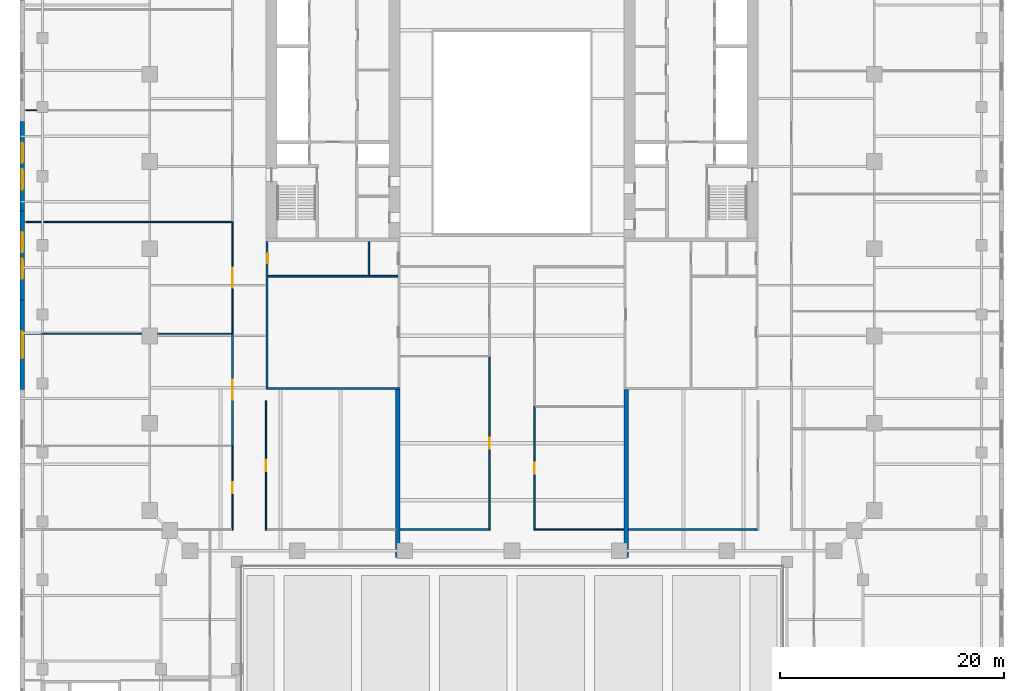
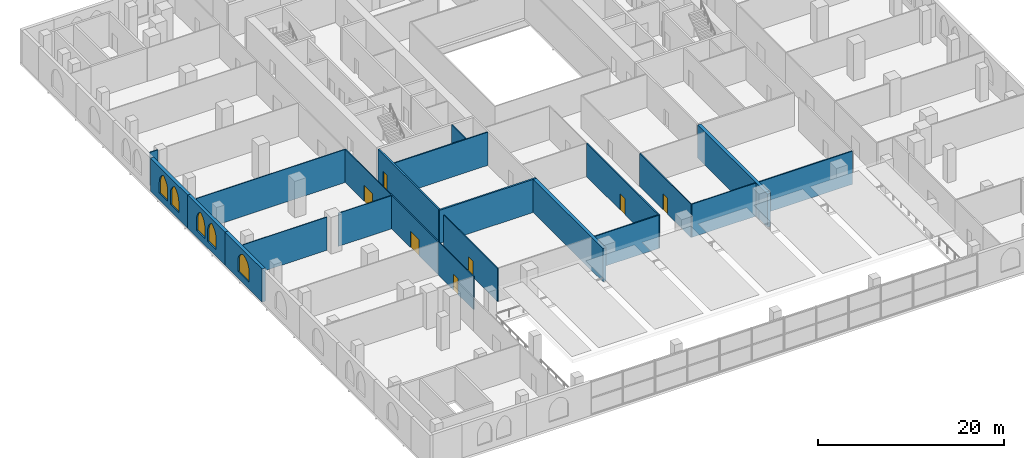
# One storey, part 9 of 18: 22 walls, 7 doors, 5 windows, 12 openings.
"""IFC4 building model written with IfcOpenShell, lengths in metres."""

from ifc_helpers import new_model, si_unit, direction, frame, frame_2d, origin, place, context, subcontext, project, spatial, polyline, rectangle, outline, extrude, material, layer, layer_set, type_object, element, fill, save


model = new_model("IFC4")

# Units and contexts
model_context = context("Model", 3, precision=1e-05, world=origin(), true_north=direction((0.0, 1.0)))
body_context = subcontext(model_context, "Body", "Model", "MODEL_VIEW")
ifc_project = project(units=[si_unit("LENGTHUNIT", "METRE"), si_unit("AREAUNIT", "SQUARE_METRE"), si_unit("VOLUMEUNIT", "CUBIC_METRE"), si_unit("PLANEANGLEUNIT", "RADIAN"), si_unit("MASSUNIT", "GRAM", prefix="KILO")], contexts=[model_context])

# Site, building, storey
site_placement = place(None, origin())
site = spatial("IfcSite", under=ifc_project, at=site_placement, CompositionType="ELEMENT")
building_placement = place(site_placement, origin())
building = spatial("IfcBuilding", under=site, at=building_placement, Name="Ogive Exchange Tower", CompositionType="ELEMENT")
storey_placement = place(building_placement, frame((0.0, 0.0, 28.800048828125)))
storey = spatial("IfcBuildingStorey", under=building, at=storey_placement, Name="L05", CompositionType="ELEMENT", Elevation=28.800048828125)

# Walls
ifc_material_1 = material(Name="Concrete C70/85", Category="concrete")
ifc_layer_1 = layer(ifc_material_1, 0.39990234375)
ifc_layer_set_1 = layer_set([ifc_layer_1], Name="Concrete C70/85 spine wall 400")
wall_type_1 = type_object("IfcWallType", Name="Concrete C70/85 spine wall 400", PredefinedType="SHEAR", material=ifc_layer_set_1)
for number, where, z_axis, x_axis, name in (
    (1, (-10.199951171875, -31.0, 0.0), (0.0, 0.0, 1.0), (0.0, 1.0, 0.0), "Spine wall SW"),
    (2, (10.199951171875, -31.0, 0.0), (0.0, 0.0, 1.0), (0.0, 1.0, 0.0), "Spine wall SE"),
):
    element("IfcWall", number, at=place(storey_placement, frame(where, z_axis=z_axis, x_axis=x_axis)), inside=storey, type_object=wall_type_1, Name=name, PredefinedType="SHEAR", context=body_context, shape_type="SweptSolid", body=[
        extrude(rectangle(XDim=15.0, YDim=0.39990234375, at=frame_2d((7.5, 0.0))), origin(), (0.0, 0.0, 1.0), 4.349853515625),
    ])
ifc_material_2 = material(Name="Gypsum board partition")
ifc_layer_2 = layer(ifc_material_2, 0.14990234375)
ifc_layer_set_2 = layer_set([ifc_layer_2], Name="Core room partition 150 gypsum")
wall_type_2 = type_object("IfcWallType", Name="Core room partition 150 gypsum", PredefinedType="PARTITIONING", material=ifc_layer_set_2)
wall_1_placement = place(storey_placement, frame((-21.800048828125, -5.85009765625, 0.0), z_axis=(0.0, 0.0, 1.0), x_axis=(1.0, 0.0, 0.0)))
element("IfcWall", 3, at=wall_1_placement, inside=storey, type_object=wall_type_2, Name="W annex S wc strip wall 00", PredefinedType="PARTITIONING", context=body_context, shape_type="SweptSolid", body=[
    extrude(rectangle(XDim=11.60009765625, YDim=0.14990234375, at=frame_2d((5.800048828125, 0.0))), origin(), (0.0, 0.0, 1.0), 4.349853515625),
])
wall_2_placement = place(storey_placement, frame((-12.800048828125, -5.77490234375, 0.0), z_axis=(0.0, 0.0, 1.0), x_axis=(0.0, 1.0, 0.0)))
element("IfcWall", 4, at=wall_2_placement, inside=storey, type_object=wall_type_2, Name="W annex S wc partition 00", PredefinedType="PARTITIONING", context=body_context, shape_type="SweptSolid", body=[
    extrude(rectangle(XDim=3.02490234375, YDim=0.14990234375, at=frame_2d((1.512451171875, 0.0))), origin(), (0.0, 0.0, 1.0), 4.349853515625),
])
ifc_material_3 = material(Name="Fire partition EI 60 150")
ifc_layer_3 = layer(ifc_material_3, 0.14990234375)
ifc_layer_set_3 = layer_set([ifc_layer_3], Name="Fire partition EI 60 150")
wall_type_3 = type_object("IfcWallType", Name="Fire partition EI 60 150", PredefinedType="PARTITIONING", material=ifc_layer_set_3)
wall_3_placement = place(storey_placement, frame((-10.0, -28.5, 0.0), z_axis=(0.0, 0.0, 1.0), x_axis=(1.0, 0.0, 0.0)))
element("IfcWall", 5, at=wall_3_placement, inside=storey, type_object=wall_type_3, Name="L05-PWL-009", PredefinedType="PARTITIONING", context=body_context, shape_type="SweptSolid", body=[
    extrude(rectangle(XDim=7.925048828125, YDim=0.14990234375, at=frame_2d((3.96240234375, 0.0))), origin(), (0.0, 0.0, 1.0), 4.349853515625),
])
wall_4_placement = place(storey_placement, frame((10.39990234375, -28.5, 0.0), z_axis=(0.0, 0.0, 1.0), x_axis=(1.0, 0.0, 0.0)))
element("IfcWall", 6, at=wall_4_placement, inside=storey, type_object=wall_type_3, Name="L05-PWL-011", PredefinedType="PARTITIONING", context=body_context, shape_type="SweptSolid", body=[
    extrude(rectangle(XDim=11.525146484375, YDim=0.14990234375, at=frame_2d((5.7626953125, 0.0))), origin(), (0.0, 0.0, 1.0), 4.349853515625),
])

# Wall, opening, door
wall_5_placement = place(storey_placement, frame((-25.0, -21.0, 0.0), z_axis=(0.0, 0.0, 1.0), x_axis=(0.0, 1.0, 0.0)))
wall_5 = element("IfcWall", 7, at=wall_5_placement, inside=storey, type_object=wall_type_3, Name="L05-PWL-046", PredefinedType="PARTITIONING", context=body_context, shape_type="SweptSolid", body=[
    extrude(rectangle(XDim=10.0, YDim=0.14990234375, at=frame_2d((5.0, 0.0))), origin(), (0.0, 0.0, 1.0), 4.349853515625),
])
opening_1_placement = place(wall_5_placement, frame((4.10009765625, 0.0, 0.0)))
opening_1 = element("IfcOpeningElement", 8, at=opening_1_placement, cuts=wall_5, Name="Opening L05-I04", PredefinedType="OPENING", context=body_context, shape_type="SweptSolid", body=[
    extrude(rectangle(XDim=1.800048828125, YDim=2.10009765625, at=frame_2d((0.89990234375, 1.050048828125))), frame((0.0, 0.0849609375, 0.0), z_axis=(0.0, -1.0, 0.0), x_axis=(1.0, 0.0, 0.0)), (0.0, 0.0, 1.0), 0.169921875),
])
ifc_material_4 = material(Name="Fire door FD 30S 1800 x 2100")
door_type_1 = type_object("IfcDoorType", Name="Fire door FD 30S 1800 x 2100", OperationType="DOUBLE_DOOR_SINGLE_SWING", PredefinedType="DOOR", material=ifc_material_4)
door_1_placement = place(opening_1_placement, origin())
door_1 = element("IfcDoor", 9, at=door_1_placement, inside=storey, type_object=door_type_1, Name="L05-IDR-004", ObjectType="DT4", OperationType="SINGLE_SWING_RIGHT", OverallHeight=2.10009765625, OverallWidth=1.800048828125, PredefinedType="DOOR", context=body_context, shape_type="SweptSolid", body=[
    extrude(rectangle(XDim=1.800048828125, YDim=2.10009765625, at=frame_2d((0.89990234375, 1.050048828125))), frame((0.0, 0.02490234375, 0.0), z_axis=(0.0, -1.0, 0.0), x_axis=(1.0, 0.0, 0.0)), (0.0, 0.0, 1.0), 0.050048828125),
])
fill(opening_1, door_1)

wall_6_placement = place(storey_placement, frame((-2.0, -28.574951171875, 0.0), z_axis=(0.0, 0.0, 1.0), x_axis=(0.0, 1.0, 0.0)))
wall_6 = element("IfcWall", 10, at=wall_6_placement, inside=storey, type_object=wall_type_3, Name="L05-PWL-053", PredefinedType="PARTITIONING", context=body_context, shape_type="SweptSolid", body=[
    extrude(rectangle(XDim=15.574951171875, YDim=0.14990234375, at=frame_2d((7.78759765625, 0.0))), origin(), (0.0, 0.0, 1.0), 4.349853515625),
])
opening_2_placement = place(wall_6_placement, frame((7.28759765625, 0.0, 0.0)))
opening_2 = element("IfcOpeningElement", 11, at=opening_2_placement, cuts=wall_6, Name="Opening L05-I20", PredefinedType="OPENING", context=body_context, shape_type="SweptSolid", body=[
    extrude(rectangle(XDim=1.0, YDim=2.10009765625, at=frame_2d((0.5, 1.050048828125))), frame((0.0, 0.0849609375, 0.0), z_axis=(0.0, -1.0, 0.0), x_axis=(1.0, 0.0, 0.0)), (0.0, 0.0, 1.0), 0.169921875),
])
ifc_material_5 = material(Name="Fire door FD 30S 1000 x 2100")
door_type_2 = type_object("IfcDoorType", Name="Fire door FD 30S 1000 x 2100", OperationType="NOTDEFINED", PredefinedType="DOOR", material=ifc_material_5)
door_2_placement = place(opening_2_placement, frame((1.0, 0.0, 0.0), z_axis=(0.0, 0.0, 1.0), x_axis=(-1.0, 0.0, 0.0)))
door_2 = element("IfcDoor", 12, at=door_2_placement, inside=storey, type_object=door_type_2, Name="L05-IDR-020", ObjectType="DT3", OperationType="SINGLE_SWING_RIGHT", OverallHeight=2.10009765625, OverallWidth=1.0, PredefinedType="DOOR", context=body_context, shape_type="SweptSolid", body=[
    extrude(rectangle(XDim=1.0, YDim=2.10009765625, at=frame_2d((0.5, 1.050048828125))), frame((0.0, 0.02490234375, 0.0), z_axis=(0.0, -1.0, 0.0), x_axis=(1.0, 0.0, 0.0)), (0.0, 0.0, 1.0), 0.050048828125),
])
fill(opening_2, door_2)

# Wall
ifc_material_6 = material(Name="Glazed fire partition EI 60 120")
ifc_layer_4 = layer(ifc_material_6, 0.1201171875)
ifc_layer_set_4 = layer_set([ifc_layer_4], Name="Glazed fire partition EI 60 120")
wall_type_4 = type_object("IfcWallType", Name="Glazed fire partition EI 60 120", PredefinedType="PARTITIONING", material=ifc_layer_set_4)
wall_7_placement = place(storey_placement, frame((2.06005859375, -28.5, 0.0), z_axis=(0.0, 0.0, 1.0), x_axis=(1.0, 0.0, 0.0)))
element("IfcWall", 13, at=wall_7_placement, inside=storey, type_object=wall_type_4, Name="L05-PWL-010", PredefinedType="PARTITIONING", context=body_context, shape_type="SweptSolid", body=[
    extrude(rectangle(XDim=7.93994140625, YDim=0.1201171875, at=frame_2d((3.969970703125, 0.0))), origin(), (0.0, 0.0, 1.0), 4.349853515625),
])

# Wall, opening, door
wall_8_placement = place(storey_placement, frame((-25.0, -28.56005859375, 0.0), z_axis=(0.0, 0.0, 1.0), x_axis=(0.0, 1.0, 0.0)))
wall_8 = element("IfcWall", 14, at=wall_8_placement, inside=storey, type_object=wall_type_4, Name="L05-PWL-045", PredefinedType="PARTITIONING", context=body_context, shape_type="SweptSolid", body=[
    extrude(rectangle(XDim=7.56005859375, YDim=0.1201171875, at=frame_2d((3.780029296875, 0.0))), origin(), (0.0, 0.0, 1.0), 4.349853515625),
])
opening_3_placement = place(wall_8_placement, frame((3.280029296875, 0.0, 0.0)))
opening_3 = element("IfcOpeningElement", 15, at=opening_3_placement, cuts=wall_8, Name="Opening L05-I03", PredefinedType="OPENING", context=body_context, shape_type="SweptSolid", body=[
    extrude(rectangle(XDim=1.0, YDim=2.10009765625, at=frame_2d((0.5, 1.050048828125))), frame((0.0, 0.070068359375, 0.0), z_axis=(0.0, -1.0, 0.0), x_axis=(1.0, 0.0, 0.0)), (0.0, 0.0, 1.0), 0.14013671875),
])
door_3_placement = place(opening_3_placement, origin())
door_3 = element("IfcDoor", 16, at=door_3_placement, inside=storey, type_object=door_type_2, Name="L05-IDR-003", ObjectType="DT3", OperationType="SINGLE_SWING_LEFT", OverallHeight=2.10009765625, OverallWidth=1.0, PredefinedType="DOOR", context=body_context, shape_type="SweptSolid", body=[
    extrude(rectangle(XDim=1.0, YDim=2.10009765625, at=frame_2d((0.5, 1.050048828125))), frame((0.0, 0.02490234375, 0.0), z_axis=(0.0, -1.0, 0.0), x_axis=(1.0, 0.0, 0.0)), (0.0, 0.0, 1.0), 0.050048828125),
])
fill(opening_3, door_3)

wall_9_placement = place(storey_placement, frame((-25.0, -11.0, 0.0), z_axis=(0.0, 0.0, 1.0), x_axis=(0.0, 1.0, 0.0)))
wall_9 = element("IfcWall", 17, at=wall_9_placement, inside=storey, type_object=wall_type_4, Name="L05-PWL-047", PredefinedType="PARTITIONING", context=body_context, shape_type="SweptSolid", body=[
    extrude(rectangle(XDim=10.0, YDim=0.1201171875, at=frame_2d((5.0, 0.0))), origin(), (0.0, 0.0, 1.0), 4.349853515625),
])
opening_4_placement = place(wall_9_placement, frame((4.10009765625, 0.0, 0.0)))
opening_4 = element("IfcOpeningElement", 18, at=opening_4_placement, cuts=wall_9, Name="Opening L05-I05", PredefinedType="OPENING", context=body_context, shape_type="SweptSolid", body=[
    extrude(rectangle(XDim=1.800048828125, YDim=2.10009765625, at=frame_2d((0.89990234375, 1.050048828125))), frame((0.0, 0.070068359375, 0.0), z_axis=(0.0, -1.0, 0.0), x_axis=(1.0, 0.0, 0.0)), (0.0, 0.0, 1.0), 0.14013671875),
])
door_4_placement = place(opening_4_placement, origin())
door_4 = element("IfcDoor", 19, at=door_4_placement, inside=storey, type_object=door_type_1, Name="L05-IDR-005", ObjectType="DT4", OperationType="SINGLE_SWING_RIGHT", OverallHeight=2.10009765625, OverallWidth=1.800048828125, PredefinedType="DOOR", context=body_context, shape_type="SweptSolid", body=[
    extrude(rectangle(XDim=1.800048828125, YDim=2.10009765625, at=frame_2d((0.89990234375, 1.050048828125))), frame((0.0, 0.02490234375, 0.0), z_axis=(0.0, -1.0, 0.0), x_axis=(1.0, 0.0, 0.0)), (0.0, 0.0, 1.0), 0.050048828125),
])
fill(opening_4, door_4)

wall_10_placement = place(storey_placement, frame((-22.0, -28.56005859375, 0.0), z_axis=(0.0, 0.0, 1.0), x_axis=(0.0, 1.0, 0.0)))
wall_10 = element("IfcWall", 20, at=wall_10_placement, inside=storey, type_object=wall_type_4, Name="L05-PWL-052", PredefinedType="PARTITIONING", context=body_context, shape_type="SweptSolid", body=[
    extrude(rectangle(XDim=11.56005859375, YDim=0.1201171875, at=frame_2d((5.780029296875, 0.0))), origin(), (0.0, 0.0, 1.0), 4.349853515625),
])
opening_5_placement = place(wall_10_placement, frame((5.280029296875, 0.0, 0.0)))
opening_5 = element("IfcOpeningElement", 21, at=opening_5_placement, cuts=wall_10, Name="Opening L05-I18", PredefinedType="OPENING", context=body_context, shape_type="SweptSolid", body=[
    extrude(rectangle(XDim=1.0, YDim=2.10009765625, at=frame_2d((0.5, 1.050048828125))), frame((0.0, 0.070068359375, 0.0), z_axis=(0.0, -1.0, 0.0), x_axis=(1.0, 0.0, 0.0)), (0.0, 0.0, 1.0), 0.14013671875),
])
door_5_placement = place(opening_5_placement, frame((1.0, 0.0, 0.0), z_axis=(0.0, 0.0, 1.0), x_axis=(-1.0, 0.0, 0.0)))
door_5 = element("IfcDoor", 22, at=door_5_placement, inside=storey, type_object=door_type_2, Name="L05-IDR-018", ObjectType="DT3", OperationType="SINGLE_SWING_LEFT", OverallHeight=2.10009765625, OverallWidth=1.0, PredefinedType="DOOR", context=body_context, shape_type="SweptSolid", body=[
    extrude(rectangle(XDim=1.0, YDim=2.10009765625, at=frame_2d((0.5, 1.050048828125))), frame((0.0, 0.02490234375, 0.0), z_axis=(0.0, -1.0, 0.0), x_axis=(1.0, 0.0, 0.0)), (0.0, 0.0, 1.0), 0.050048828125),
])
fill(opening_5, door_5)

wall_11_placement = place(storey_placement, frame((2.0, -28.56005859375, 0.0), z_axis=(0.0, 0.0, 1.0), x_axis=(0.0, 1.0, 0.0)))
wall_11 = element("IfcWall", 23, at=wall_11_placement, inside=storey, type_object=wall_type_4, Name="L05-PWL-056", PredefinedType="PARTITIONING", context=body_context, shape_type="SweptSolid", body=[
    extrude(rectangle(XDim=11.06005859375, YDim=0.1201171875, at=frame_2d((5.530029296875, 0.0))), origin(), (0.0, 0.0, 1.0), 4.349853515625),
])
opening_6_placement = place(wall_11_placement, frame((5.030029296875, 0.0, 0.0)))
opening_6 = element("IfcOpeningElement", 24, at=opening_6_placement, cuts=wall_11, Name="Opening L05-I22", PredefinedType="OPENING", context=body_context, shape_type="SweptSolid", body=[
    extrude(rectangle(XDim=1.0, YDim=2.10009765625, at=frame_2d((0.5, 1.050048828125))), frame((0.0, 0.070068359375, 0.0), z_axis=(0.0, -1.0, 0.0), x_axis=(1.0, 0.0, 0.0)), (0.0, 0.0, 1.0), 0.14013671875),
])
door_6_placement = place(opening_6_placement, frame((1.0, 0.0, 0.0), z_axis=(0.0, 0.0, 1.0), x_axis=(-1.0, 0.0, 0.0)))
door_6 = element("IfcDoor", 25, at=door_6_placement, inside=storey, type_object=door_type_2, Name="L05-IDR-022", ObjectType="DT3", OperationType="SINGLE_SWING_RIGHT", OverallHeight=2.10009765625, OverallWidth=1.0, PredefinedType="DOOR", context=body_context, shape_type="SweptSolid", body=[
    extrude(rectangle(XDim=1.0, YDim=2.10009765625, at=frame_2d((0.5, 1.050048828125))), frame((0.0, 0.02490234375, 0.0), z_axis=(0.0, -1.0, 0.0), x_axis=(1.0, 0.0, 0.0)), (0.0, 0.0, 1.0), 0.050048828125),
])
fill(opening_6, door_6)

# Wall, openings, windows
ifc_material_7 = material(Name="Precast concrete C40/50", Category="concrete")
ifc_layer_5 = layer(ifc_material_7, 0.39990234375)
ifc_layer_set_5 = layer_set([ifc_layer_5], Name="Limestone-faced wall 400")
wall_type_5 = type_object("IfcWallType", Name="Limestone-faced wall 400", PredefinedType="STANDARD", material=ifc_layer_set_5)
wall_12_placement = place(storey_placement, frame((-43.800048828125, 8.0, 0.0), z_axis=(0.0, 0.0, 1.0), x_axis=(0.0, -1.0, 0.0)))
wall_12 = element("IfcWall", 26, at=wall_12_placement, inside=storey, type_object=wall_type_5, Name="Podium wall W5", PredefinedType="STANDARD", context=body_context, shape_type="SweptSolid", body=[
    extrude(rectangle(XDim=8.0, YDim=0.39990234375, at=frame_2d((4.0, 0.0))), origin(), (0.0, 0.0, 1.0), 4.349853515625),
])
opening_7_placement = place(wall_12_placement, frame((1.89990234375, 0.0, 0.89990234375)))
opening_7 = element("IfcOpeningElement", 27, at=opening_7_placement, cuts=wall_12, Name="Opening WQ285", PredefinedType="OPENING", context=body_context, shape_type="SweptSolid", body=[
    extrude(outline(polyline([(0.0, 0.0), (1.800048828125, 0.0), (1.800048828125, 1.425048828125), (1.784423828125, 1.646484375), (1.73779296875, 1.86376953125), (1.661376953125, 2.072265625), (1.55615234375, 2.267822265625), (1.4248046875, 2.44677734375), (1.269287109375, 2.60546875), (1.09326171875, 2.74072265625), (0.89990234375, 2.85009765625), (0.706787109375, 2.74072265625), (0.53076171875, 2.60546875), (0.375244140625, 2.44677734375), (0.243896484375, 2.267822265625), (0.138671875, 2.072265625), (0.062255859375, 1.86376953125), (0.015625, 1.646484375), (0.0, 1.425048828125), (0.0, 0.0)])), frame((0.0, 0.2099609375, 0.0), z_axis=(0.0, -1.0, 0.0), x_axis=(1.0, 0.0, 0.0)), (0.0, 0.0, 1.0), 0.419921875),
])
opening_8_placement = place(wall_12_placement, frame((4.300048828125, 0.0, 0.89990234375)))
opening_8 = element("IfcOpeningElement", 28, at=opening_8_placement, cuts=wall_12, Name="Opening WQ285", PredefinedType="OPENING", context=body_context, shape_type="SweptSolid", body=[
    extrude(outline(polyline([(0.0, 0.0), (1.800048828125, 0.0), (1.800048828125, 1.425048828125), (1.784423828125, 1.646484375), (1.73779296875, 1.86376953125), (1.661376953125, 2.072265625), (1.55615234375, 2.267822265625), (1.4248046875, 2.44677734375), (1.269287109375, 2.60546875), (1.09326171875, 2.74072265625), (0.89990234375, 2.85009765625), (0.706787109375, 2.74072265625), (0.53076171875, 2.60546875), (0.375244140625, 2.44677734375), (0.243896484375, 2.267822265625), (0.138671875, 2.072265625), (0.062255859375, 1.86376953125), (0.015625, 1.646484375), (0.0, 1.425048828125), (0.0, 0.0)])), frame((0.0, 0.2099609375, 0.0), z_axis=(0.0, -1.0, 0.0), x_axis=(1.0, 0.0, 0.0)), (0.0, 0.0, 1.0), 0.419921875),
])
ifc_material_8 = material(Name="Clear glass in bronze frame", Category="glass")
window_type_1 = type_object("IfcWindowType", Name="Podium paired lancet 1800 x 2850", PartitioningType="DOUBLE_PANEL_VERTICAL", PredefinedType="WINDOW", material=ifc_material_8)
window_1_placement = place(opening_7_placement, origin())
window_1 = element("IfcWindow", 29, at=window_1_placement, inside=storey, type_object=window_type_1, Name="Podium paired lancet W5.1", OverallHeight=2.85009765625, OverallWidth=1.800048828125, PartitioningType="DOUBLE_PANEL_VERTICAL", PredefinedType="WINDOW", context=body_context, shape_type="SweptSolid", body=[
    extrude(outline(polyline([(0.0, 0.0), (1.800048828125, 0.0), (1.800048828125, 1.425048828125), (1.784423828125, 1.646484375), (1.73779296875, 1.86376953125), (1.661376953125, 2.072265625), (1.55615234375, 2.267822265625), (1.4248046875, 2.44677734375), (1.269287109375, 2.60546875), (1.09326171875, 2.74072265625), (0.89990234375, 2.85009765625), (0.706787109375, 2.74072265625), (0.53076171875, 2.60546875), (0.375244140625, 2.44677734375), (0.243896484375, 2.267822265625), (0.138671875, 2.072265625), (0.062255859375, 1.86376953125), (0.015625, 1.646484375), (0.0, 1.425048828125), (0.0, 0.0)])), frame((0.0, 0.030029296875, 0.0), z_axis=(0.0, -1.0, 0.0), x_axis=(1.0, 0.0, 0.0)), (0.0, 0.0, 1.0), 0.06005859375),
])
fill(opening_7, window_1)
window_2_placement = place(opening_8_placement, origin())
window_2 = element("IfcWindow", 30, at=window_2_placement, inside=storey, type_object=window_type_1, Name="Podium paired lancet W5.2", OverallHeight=2.85009765625, OverallWidth=1.800048828125, PartitioningType="DOUBLE_PANEL_VERTICAL", PredefinedType="WINDOW", context=body_context, shape_type="SweptSolid", body=[
    extrude(outline(polyline([(0.0, 0.0), (1.800048828125, 0.0), (1.800048828125, 1.425048828125), (1.784423828125, 1.646484375), (1.73779296875, 1.86376953125), (1.661376953125, 2.072265625), (1.55615234375, 2.267822265625), (1.4248046875, 2.44677734375), (1.269287109375, 2.60546875), (1.09326171875, 2.74072265625), (0.89990234375, 2.85009765625), (0.706787109375, 2.74072265625), (0.53076171875, 2.60546875), (0.375244140625, 2.44677734375), (0.243896484375, 2.267822265625), (0.138671875, 2.072265625), (0.062255859375, 1.86376953125), (0.015625, 1.646484375), (0.0, 1.425048828125), (0.0, 0.0)])), frame((0.0, 0.030029296875, 0.0), z_axis=(0.0, -1.0, 0.0), x_axis=(1.0, 0.0, 0.0)), (0.0, 0.0, 1.0), 0.06005859375),
])
fill(opening_8, window_2)

wall_13_placement = place(storey_placement, frame((-43.800048828125, 0.0, 0.0), z_axis=(0.0, 0.0, 1.0), x_axis=(0.0, -1.0, 0.0)))
wall_13 = element("IfcWall", 31, at=wall_13_placement, inside=storey, type_object=wall_type_5, Name="Podium wall W6", PredefinedType="STANDARD", context=body_context, shape_type="SweptSolid", body=[
    extrude(rectangle(XDim=8.0, YDim=0.39990234375, at=frame_2d((4.0, 0.0))), origin(), (0.0, 0.0, 1.0), 4.349853515625),
])
opening_9_placement = place(wall_13_placement, frame((1.89990234375, 0.0, 0.89990234375)))
opening_9 = element("IfcOpeningElement", 32, at=opening_9_placement, cuts=wall_13, Name="Opening WQ285", PredefinedType="OPENING", context=body_context, shape_type="SweptSolid", body=[
    extrude(outline(polyline([(0.0, 0.0), (1.800048828125, 0.0), (1.800048828125, 1.425048828125), (1.784423828125, 1.646484375), (1.73779296875, 1.86376953125), (1.661376953125, 2.072265625), (1.55615234375, 2.267822265625), (1.4248046875, 2.44677734375), (1.269287109375, 2.60546875), (1.09326171875, 2.74072265625), (0.89990234375, 2.85009765625), (0.706787109375, 2.74072265625), (0.53076171875, 2.60546875), (0.375244140625, 2.44677734375), (0.243896484375, 2.267822265625), (0.138671875, 2.072265625), (0.062255859375, 1.86376953125), (0.015625, 1.646484375), (0.0, 1.425048828125), (0.0, 0.0)])), frame((0.0, 0.2099609375, 0.0), z_axis=(0.0, -1.0, 0.0), x_axis=(1.0, 0.0, 0.0)), (0.0, 0.0, 1.0), 0.419921875),
])
opening_10_placement = place(wall_13_placement, frame((4.300048828125, 0.0, 0.89990234375)))
opening_10 = element("IfcOpeningElement", 33, at=opening_10_placement, cuts=wall_13, Name="Opening WQ285", PredefinedType="OPENING", context=body_context, shape_type="SweptSolid", body=[
    extrude(outline(polyline([(0.0, 0.0), (1.800048828125, 0.0), (1.800048828125, 1.425048828125), (1.784423828125, 1.646484375), (1.73779296875, 1.86376953125), (1.661376953125, 2.072265625), (1.55615234375, 2.267822265625), (1.4248046875, 2.44677734375), (1.269287109375, 2.60546875), (1.09326171875, 2.74072265625), (0.89990234375, 2.85009765625), (0.706787109375, 2.74072265625), (0.53076171875, 2.60546875), (0.375244140625, 2.44677734375), (0.243896484375, 2.267822265625), (0.138671875, 2.072265625), (0.062255859375, 1.86376953125), (0.015625, 1.646484375), (0.0, 1.425048828125), (0.0, 0.0)])), frame((0.0, 0.2099609375, 0.0), z_axis=(0.0, -1.0, 0.0), x_axis=(1.0, 0.0, 0.0)), (0.0, 0.0, 1.0), 0.419921875),
])
window_3_placement = place(opening_9_placement, origin())
window_3 = element("IfcWindow", 34, at=window_3_placement, inside=storey, type_object=window_type_1, Name="Podium paired lancet W6.1", OverallHeight=2.85009765625, OverallWidth=1.800048828125, PartitioningType="DOUBLE_PANEL_VERTICAL", PredefinedType="WINDOW", context=body_context, shape_type="SweptSolid", body=[
    extrude(outline(polyline([(0.0, 0.0), (1.800048828125, 0.0), (1.800048828125, 1.425048828125), (1.784423828125, 1.646484375), (1.73779296875, 1.86376953125), (1.661376953125, 2.072265625), (1.55615234375, 2.267822265625), (1.4248046875, 2.44677734375), (1.269287109375, 2.60546875), (1.09326171875, 2.74072265625), (0.89990234375, 2.85009765625), (0.706787109375, 2.74072265625), (0.53076171875, 2.60546875), (0.375244140625, 2.44677734375), (0.243896484375, 2.267822265625), (0.138671875, 2.072265625), (0.062255859375, 1.86376953125), (0.015625, 1.646484375), (0.0, 1.425048828125), (0.0, 0.0)])), frame((0.0, 0.030029296875, 0.0), z_axis=(0.0, -1.0, 0.0), x_axis=(1.0, 0.0, 0.0)), (0.0, 0.0, 1.0), 0.06005859375),
])
fill(opening_9, window_3)
window_4_placement = place(opening_10_placement, origin())
window_4 = element("IfcWindow", 35, at=window_4_placement, inside=storey, type_object=window_type_1, Name="Podium paired lancet W6.2", OverallHeight=2.85009765625, OverallWidth=1.800048828125, PartitioningType="DOUBLE_PANEL_VERTICAL", PredefinedType="WINDOW", context=body_context, shape_type="SweptSolid", body=[
    extrude(outline(polyline([(0.0, 0.0), (1.800048828125, 0.0), (1.800048828125, 1.425048828125), (1.784423828125, 1.646484375), (1.73779296875, 1.86376953125), (1.661376953125, 2.072265625), (1.55615234375, 2.267822265625), (1.4248046875, 2.44677734375), (1.269287109375, 2.60546875), (1.09326171875, 2.74072265625), (0.89990234375, 2.85009765625), (0.706787109375, 2.74072265625), (0.53076171875, 2.60546875), (0.375244140625, 2.44677734375), (0.243896484375, 2.267822265625), (0.138671875, 2.072265625), (0.062255859375, 1.86376953125), (0.015625, 1.646484375), (0.0, 1.425048828125), (0.0, 0.0)])), frame((0.0, 0.030029296875, 0.0), z_axis=(0.0, -1.0, 0.0), x_axis=(1.0, 0.0, 0.0)), (0.0, 0.0, 1.0), 0.06005859375),
])
fill(opening_10, window_4)

# Wall, opening, window
wall_14_placement = place(storey_placement, frame((-43.800048828125, -8.0, 0.0), z_axis=(0.0, 0.0, 1.0), x_axis=(0.0, -1.0, 0.0)))
wall_14 = element("IfcWall", 36, at=wall_14_placement, inside=storey, type_object=wall_type_5, Name="Podium wall W7", PredefinedType="STANDARD", context=body_context, shape_type="SweptSolid", body=[
    extrude(rectangle(XDim=8.0, YDim=0.39990234375, at=frame_2d((4.0, 0.0))), origin(), (0.0, 0.0, 1.0), 4.349853515625),
])
opening_11_placement = place(wall_14_placement, frame((2.800048828125, 0.0, 0.89990234375)))
opening_11 = element("IfcOpeningElement", 37, at=opening_11_placement, cuts=wall_14, Name="Opening WP285", PredefinedType="OPENING", context=body_context, shape_type="SweptSolid", body=[
    extrude(outline(polyline([(0.0, 0.0), (2.39990234375, 0.0), (2.39990234375, 1.425048828125), (2.3779296875, 1.6767578125), (2.312255859375, 1.9208984375), (2.205322265625, 2.149658203125), (2.06005859375, 2.3564453125), (1.880859375, 2.534912109375), (1.673583984375, 2.679443359375), (1.4443359375, 2.785400390625), (1.199951171875, 2.85009765625), (0.95556640625, 2.785400390625), (0.726318359375, 2.679443359375), (0.51904296875, 2.534912109375), (0.33984375, 2.3564453125), (0.194580078125, 2.149658203125), (0.087646484375, 1.9208984375), (0.02197265625, 1.6767578125), (0.0, 1.425048828125), (0.0, 0.0)])), frame((0.0, 0.2099609375, 0.0), z_axis=(0.0, -1.0, 0.0), x_axis=(1.0, 0.0, 0.0)), (0.0, 0.0, 1.0), 0.419921875),
])
window_type_2 = type_object("IfcWindowType", Name="Podium lancet window 2400 x 2850", PartitioningType="DOUBLE_PANEL_VERTICAL", PredefinedType="WINDOW", material=ifc_material_8)
window_5_placement = place(opening_11_placement, origin())
window_5 = element("IfcWindow", 38, at=window_5_placement, inside=storey, type_object=window_type_2, Name="Podium window W7", OverallHeight=2.85009765625, OverallWidth=2.39990234375, PartitioningType="DOUBLE_PANEL_VERTICAL", PredefinedType="WINDOW", context=body_context, shape_type="SweptSolid", body=[
    extrude(outline(polyline([(0.0, 0.0), (2.39990234375, 0.0), (2.39990234375, 1.425048828125), (2.3779296875, 1.6767578125), (2.312255859375, 1.9208984375), (2.205322265625, 2.149658203125), (2.06005859375, 2.3564453125), (1.880859375, 2.534912109375), (1.673583984375, 2.679443359375), (1.4443359375, 2.785400390625), (1.199951171875, 2.85009765625), (0.95556640625, 2.785400390625), (0.726318359375, 2.679443359375), (0.51904296875, 2.534912109375), (0.33984375, 2.3564453125), (0.194580078125, 2.149658203125), (0.087646484375, 1.9208984375), (0.02197265625, 1.6767578125), (0.0, 1.425048828125), (0.0, 0.0)])), frame((0.0, 0.030029296875, 0.0), z_axis=(0.0, -1.0, 0.0), x_axis=(1.0, 0.0, 0.0)), (0.0, 0.0, 1.0), 0.06005859375),
])
fill(opening_11, window_5)

# Walls
ifc_material_9 = material(Name="Partition 100 gypsum")
ifc_layer_6 = layer(ifc_material_9, 0.10009765625)
ifc_layer_set_6 = layer_set([ifc_layer_6], Name="Partition 100 gypsum")
wall_type_6 = type_object("IfcWallType", Name="Partition 100 gypsum", PredefinedType="PARTITIONING", material=ifc_layer_set_6)
wall_15_placement = place(storey_placement, frame((-43.5, -11.0, 0.0), z_axis=(0.0, 0.0, 1.0), x_axis=(1.0, 0.0, 0.0)))
element("IfcWall", 39, at=wall_15_placement, inside=storey, type_object=wall_type_6, Name="L05-PWL-020", PredefinedType="PARTITIONING", context=body_context, shape_type="SweptSolid", body=[
    extrude(rectangle(XDim=10.39990234375, YDim=0.10009765625, at=frame_2d((5.199951171875, 0.0))), origin(), (0.0, 0.0, 1.0), 4.349853515625),
])
wall_16_placement = place(storey_placement, frame((-31.699951171875, -11.0, 0.0), z_axis=(0.0, 0.0, 1.0), x_axis=(1.0, 0.0, 0.0)))
element("IfcWall", 40, at=wall_16_placement, inside=storey, type_object=wall_type_6, Name="L05-PWL-021", PredefinedType="PARTITIONING", context=body_context, shape_type="SweptSolid", body=[
    extrude(rectangle(XDim=6.625, YDim=0.10009765625, at=frame_2d((3.3125, 0.0))), origin(), (0.0, 0.0, 1.0), 4.349853515625),
])
wall_17_placement = place(storey_placement, frame((-43.5, -1.0, 0.0), z_axis=(0.0, 0.0, 1.0), x_axis=(1.0, 0.0, 0.0)))
element("IfcWall", 41, at=wall_17_placement, inside=storey, type_object=wall_type_6, Name="L05-PWL-026", PredefinedType="PARTITIONING", context=body_context, shape_type="SweptSolid", body=[
    extrude(rectangle(XDim=18.425048828125, YDim=0.10009765625, at=frame_2d((9.21240234375, 0.0))), origin(), (0.0, 0.0, 1.0), 4.349853515625),
])
wall_18_placement = place(storey_placement, frame((-43.5, 9.0, 0.0), z_axis=(0.0, 0.0, 1.0), x_axis=(1.0, 0.0, 0.0)))
element("IfcWall", 42, at=wall_18_placement, inside=storey, type_object=wall_type_6, Name="L05-PWL-028", PredefinedType="PARTITIONING", context=body_context, shape_type="SweptSolid", body=[
    extrude(rectangle(XDim=1.0, YDim=0.10009765625, at=frame_2d((0.5, 0.0))), origin(), (0.0, 0.0, 1.0), 4.349853515625),
])

# Wall, opening, door
ifc_layer_7 = layer(ifc_material_1, 0.199951171875)
ifc_layer_set_7 = layer_set([ifc_layer_7], Name="RC core wall 200 C70/85")
wall_type_7 = type_object("IfcWallType", Name="RC core wall 200 C70/85", PredefinedType="SHEAR", material=ifc_layer_set_7)
wall_19_placement = place(storey_placement, frame((-21.89990234375, -15.800048828125, 0.0), z_axis=(0.0, 0.0, 1.0), x_axis=(0.0, 1.0, 0.0)))
wall_19 = element("IfcWall", 43, at=wall_19_placement, inside=storey, type_object=wall_type_7, Name="W annex S outer wall", PredefinedType="SHEAR", context=body_context, shape_type="SweptSolid", body=[
    extrude(rectangle(XDim=13.050048828125, YDim=0.199951171875, at=frame_2d((6.52490234375, 0.0))), origin(), (0.0, 0.0, 1.0), 4.349853515625),
])
opening_12_placement = place(wall_19_placement, frame((11.08740234375, 0.0, 0.0)))
opening_12 = element("IfcOpeningElement", 44, at=opening_12_placement, cuts=wall_19, Name="Opening L05-C21", PredefinedType="OPENING", context=body_context, shape_type="SweptSolid", body=[
    extrude(rectangle(XDim=0.89990234375, YDim=2.10009765625, at=frame_2d((0.449951171875, 1.050048828125))), frame((0.0, 0.10986328125, 0.0), z_axis=(0.0, -1.0, 0.0), x_axis=(1.0, 0.0, 0.0)), (0.0, 0.0, 1.0), 0.219970703125),
])
ifc_material_10 = material(Name="Steel fire door", Category="steel")
door_type_3 = type_object("IfcDoorType", Name="Riser door FD60 900 x 2100", OperationType="NOTDEFINED", PredefinedType="DOOR", material=ifc_material_10)
door_7_placement = place(opening_12_placement, frame((0.89990234375, -0.14990234375, 0.0), z_axis=(0.0, 0.0, 1.0), x_axis=(-1.0, 0.0, 0.0)))
door_7 = element("IfcDoor", 45, at=door_7_placement, inside=storey, type_object=door_type_3, Name="Riser door", ObjectType="CD2", OperationType="SINGLE_SWING_RIGHT", OverallHeight=2.10009765625, OverallWidth=0.89990234375, PredefinedType="DOOR", context=body_context, shape_type="SweptSolid", body=[
    extrude(rectangle(XDim=0.89990234375, YDim=2.10009765625, at=frame_2d((0.449951171875, 1.050048828125))), frame((0.0, -0.0498046875, 0.0), z_axis=(0.0, -1.0, 0.0), x_axis=(1.0, 0.0, 0.0)), (0.0, 0.0, 1.0), 0.050048828125),
])
fill(opening_12, door_7)

# Wall
wall_20_placement = place(storey_placement, frame((-22.0, -15.89990234375, 0.0), z_axis=(0.0, 0.0, 1.0), x_axis=(1.0, 0.0, 0.0)))
element("IfcWall", 46, at=wall_20_placement, inside=storey, type_object=wall_type_7, Name="W annex S end wall", PredefinedType="SHEAR", context=body_context, shape_type="SweptSolid", body=[
    extrude(rectangle(XDim=12.0, YDim=0.199951171875, at=frame_2d((6.0, 0.0))), origin(), (0.0, 0.0, 1.0), 4.349853515625),
])

save(model, "model.ifc")
